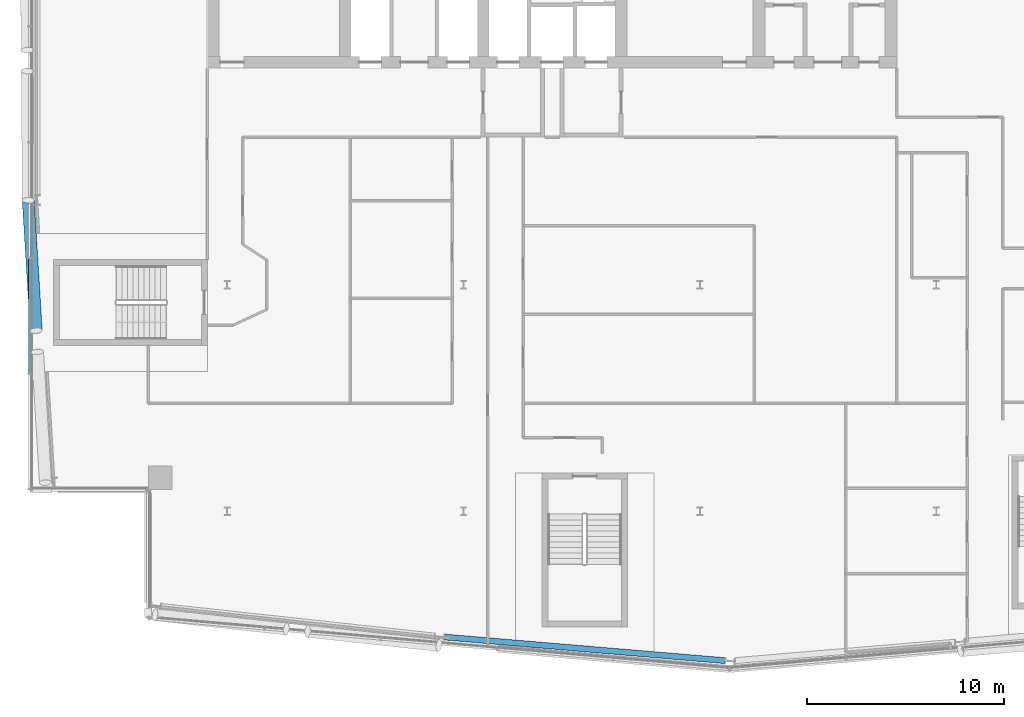
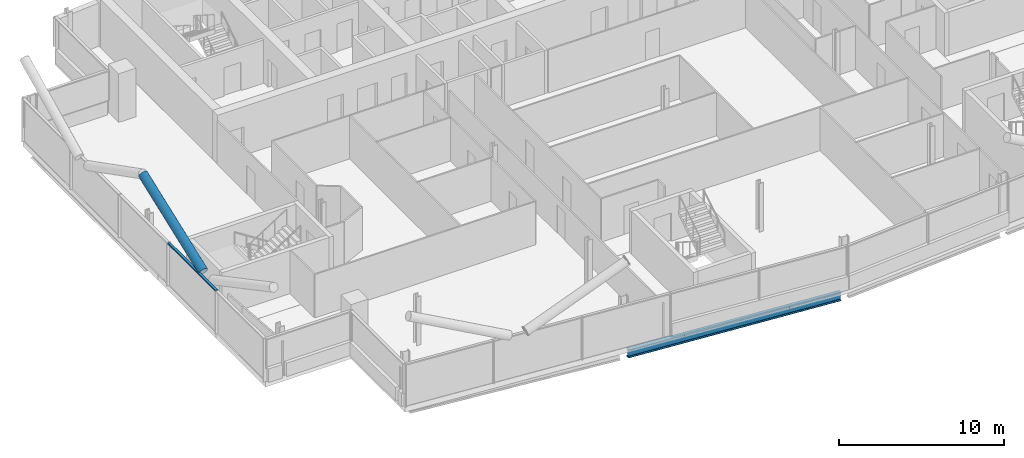
# One storey, part 6 of 27: 2 members, 1 beam, 1 element without a shape of its own.
"""IFC4 building model written with IfcOpenShell, lengths in metres."""

from ifc_helpers import new_model, si_unit, direction, frame, origin, origin_2d, place, context, subcontext, project, spatial, rectangle, hollow_circle, i_section, extrude, material, material_profile, profile_set, type_object, element, aggregate, save


model = new_model("IFC4")

# Units and contexts
model_context = context("Model", 3, precision=1e-05, world=origin(), true_north=direction((0.0, 1.0)))
body_context = subcontext(model_context, "Body", "Model", "MODEL_VIEW")
ifc_project = project(units=[si_unit("LENGTHUNIT", "METRE"), si_unit("AREAUNIT", "SQUARE_METRE"), si_unit("VOLUMEUNIT", "CUBIC_METRE"), si_unit("PLANEANGLEUNIT", "RADIAN"), si_unit("MASSUNIT", "GRAM", prefix="KILO")], contexts=[model_context])

# Site, building, storey
site_placement = place(None, origin())
site = spatial("IfcSite", under=ifc_project, at=site_placement, CompositionType="ELEMENT")
building_placement = place(site_placement, origin())
building = spatial("IfcBuilding", under=site, at=building_placement, Name="Wharfspan Tower", CompositionType="ELEMENT")
storey_placement = place(building_placement, frame((0.0, 0.0, 228.699951)))
storey = spatial("IfcBuildingStorey", under=building, at=storey_placement, Name="L57", CompositionType="ELEMENT", Elevation=228.699951)

# Beam
ifc_material_1 = material(Name="Steel S355J2", Category="steel")
ifc_material_profile_1 = material_profile(ifc_material_1, i_section(OverallWidth=0.300049, OverallDepth=0.600098, WebThickness=0.015381, FlangeThickness=0.030029, FilletRadius=0.0271, at=origin_2d()))
ifc_profile_set_1 = profile_set([ifc_material_profile_1], Name="Steel S355J2")
beam_type = type_object("IfcBeamType", Name="Edge beam HEB 600", PredefinedType="SPANDREL", material=ifc_profile_set_1)
beam_placement = place(storey_placement, frame((35.038574, 5.121582, -0.699951), z_axis=(0.996473, -0.083909, 0.0), x_axis=(0.083909, 0.996473, 0.0)))
element("IfcBeam", 1, at=beam_placement, inside=storey, type_object=beam_type, Name="Edge beam S1 L57 PS1.2 to PS1.3", PredefinedType="SPANDREL", context=body_context, shape_type="SweptSolid", body=[
    extrude(i_section(OverallWidth=0.300049, OverallDepth=0.600098, WebThickness=0.015381, FlangeThickness=0.030029, FilletRadius=0.0271, at=origin_2d()), origin(), (0.0, 0.0, 1.0), 14.277344),
])

# Member
ifc_material_2 = material(Name="Steel S460NH", Category="steel")
ifc_material_profile_2 = material_profile(ifc_material_2, hollow_circle(Radius=0.304932, WallThickness=0.024902, at=origin_2d()))
ifc_profile_set_2 = profile_set([ifc_material_profile_2], Name="Steel S460NH")
member_type_1 = type_object("IfcMemberType", Name="Mega brace CHS 610x25", PredefinedType="BRACE", material=ifc_profile_set_2)
member_1_placement = place(storey_placement, frame((14.310791, 20.670654, 3.170654), z_axis=(-0.054615, 0.892302, 0.448123), x_axis=(-0.998132, -0.061091, -3e-06)))
element("IfcMember", 2, at=member_1_placement, inside=storey, type_object=member_type_1, Name="Mega brace W4 L57 part 4", PredefinedType="BRACE", context=body_context, shape_type="SweptSolid", body=[
    extrude(hollow_circle(Radius=0.304932, WallThickness=0.024902, at=origin_2d()), origin(), (0.0, 0.0, 1.0), 7.429443),
])

# Curtain wall, member
ifc_material_3 = material(Name="Aluminium 6063-T6", Category="aluminium")
curtain_wall_type = type_object("IfcCurtainWallType", Name="CURTAIN WALL PROW AND END", PredefinedType="NOTDEFINED", material=ifc_material_3)
curtain_wall_placement = place(storey_placement, origin())
curtain_wall = element("IfcCurtainWall", 3, at=curtain_wall_placement, inside=storey, type_object=curtain_wall_type, Name="Curtain wall W", PredefinedType="NOTDEFINED")
ifc_material_profile_3 = material_profile(ifc_material_3, rectangle(XDim=0.179932, YDim=0.080078, at=origin_2d()))
ifc_profile_set_3 = profile_set([ifc_material_profile_3], Name="Aluminium 6063-T6")
member_type_2 = type_object("IfcMemberType", Name="TRANSOM PROW AND END 80x180", PredefinedType="USERDEFINED", material=ifc_profile_set_3)
member_2_placement = place(storey_placement, frame((14.0, 24.330078, 3.160156), z_axis=(0.0, -1.0, 0.0), x_axis=(1.0, 0.0, 0.0)))
member_2 = element("IfcMember", 4, at=member_2_placement, type_object=member_type_2, Name="Curtain wall W transom 4", ObjectType="TRANSOM", PredefinedType="USERDEFINED", context=body_context, shape_type="SweptSolid", body=[
    extrude(rectangle(XDim=0.179932, YDim=0.080078, at=origin_2d()), origin(), (0.0, 0.0, 1.0), 5.820068),
])
aggregate(curtain_wall, [member_2])

save(model, "model.ifc")
